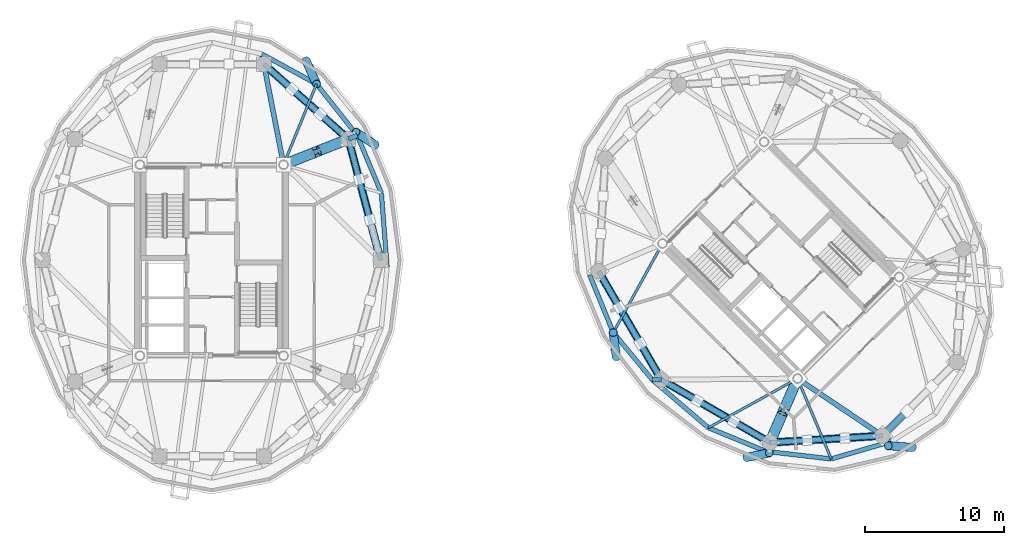
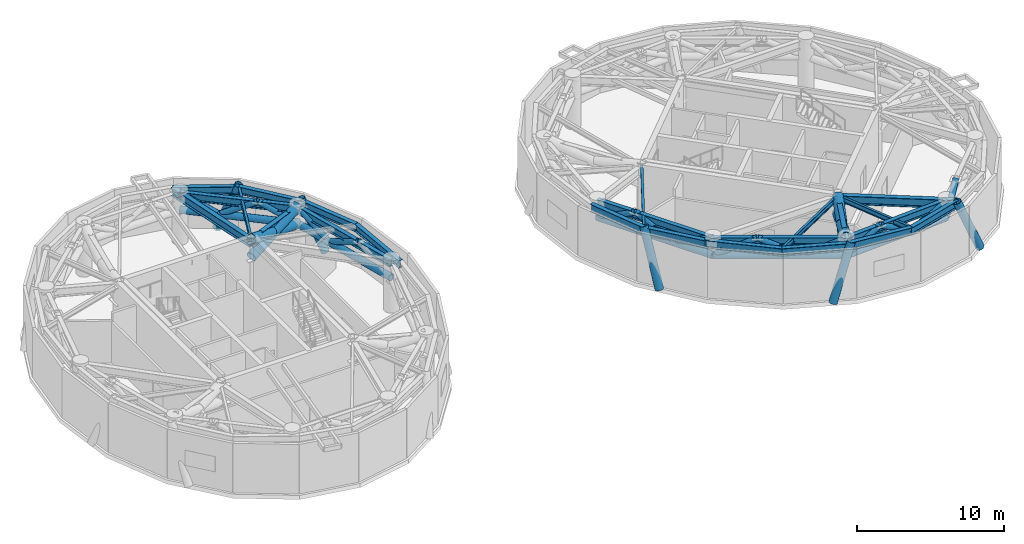
# One storey, part 3 of 14: 31 members, 25 beams.
"""IFC4 building model written with IfcOpenShell, lengths in metres."""

from ifc_helpers import new_model, si_unit, direction, frame, origin, origin_2d, place, context, subcontext, project, spatial, hollow_circle, i_section, extrude, material, material_profile, profile_set, type_object, element, save


model = new_model("IFC4")

# Units and contexts
model_context = context("Model", 3, precision=1e-05, world=origin(), true_north=direction((0.0, 1.0)))
body_context = subcontext(model_context, "Body", "Model", "MODEL_VIEW")
ifc_project = project(units=[si_unit("LENGTHUNIT", "METRE"), si_unit("AREAUNIT", "SQUARE_METRE"), si_unit("VOLUMEUNIT", "CUBIC_METRE"), si_unit("PLANEANGLEUNIT", "RADIAN"), si_unit("MASSUNIT", "GRAM", prefix="KILO")], contexts=[model_context])

# Site, building, storey
site_placement = place(None, origin())
site = spatial("IfcSite", under=ifc_project, at=site_placement, CompositionType="ELEMENT")
building_placement = place(site_placement, origin())
building = spatial("IfcBuilding", under=site, at=building_placement, Name="Cununo Teusaquillo Station Towers", CompositionType="ELEMENT")
storey_placement = place(building_placement, frame((0.0, 0.0, 192.340087890625)))
storey = spatial("IfcBuildingStorey", under=building, at=storey_placement, Name="L61", CompositionType="ELEMENT", Elevation=192.340087890625)

# Beams
ifc_material_1 = material(Name="Steel ASTM A572 Grade 50", Category="steel")
ifc_material_profile_1 = material_profile(ifc_material_1, i_section(OverallWidth=0.180908203125, OverallDepth=0.4169921875, WebThickness=0.010986328125, FlangeThickness=0.018310546875, FilletRadius=0.012939453125, at=origin_2d()), Name="W16X57")
ifc_profile_set_1 = profile_set([ifc_material_profile_1], Name="Steel ASTM A572 Grade 50")
beam_type_1 = type_object("IfcBeamType", Name="BM-JOIST-1", PredefinedType="JOIST", material=ifc_profile_set_1)
beam_1_placement = place(storey_placement, frame((21.675048828125, 31.3798828125, 3.9013671875), z_axis=(0.378576847217, 0.925569862707, 0.0), x_axis=(-0.925569862707, 0.378576847217, 0.0)))
element("IfcBeam", 1, at=beam_1_placement, inside=storey, type_object=beam_type_1, Name="L61 Tower A Radial Spandrel Joist V03", PredefinedType="JOIST", context=body_context, shape_type="SweptSolid", body=[
    extrude(i_section(OverallWidth=0.180908203125, OverallDepth=0.4169921875, WebThickness=0.010986328125, FlangeThickness=0.018310546875, FilletRadius=0.012939453125, at=origin_2d()), origin(), (0.0, 0.0, 1.0), 6.28125),
])
for number, where, z_axis, x_axis, name in (
    (2, (48.975830078125, 25.70556640625, 3.9013671875), (-0.483552544108, -0.8753153358, 0.0), (0.8753153358, -0.483552544108, 0.0), "L61 Tower B Radial Spandrel Joist V09"),
    (3, (58.70556640625, 15.975830078125, 3.9013671875), (-0.8753153358, -0.483552544108, 0.0), (0.483552544108, -0.8753153358, 0.0), "L61 Tower B Radial Spandrel Joist V11"),
):
    element("IfcBeam", number, at=place(storey_placement, frame(where, z_axis=z_axis, x_axis=x_axis)), inside=storey, type_object=beam_type_1, Name=name, PredefinedType="JOIST", context=body_context, shape_type="SweptSolid", body=[
        extrude(i_section(OverallWidth=0.180908203125, OverallDepth=0.4169921875, WebThickness=0.010986328125, FlangeThickness=0.018310546875, FilletRadius=0.012939453125, at=origin_2d()), origin(), (0.0, 0.0, 1.0), 7.3330078125),
    ])
beam_2_placement = place(storey_placement, frame((58.70556640625, 15.975830078125, 3.9013671875), z_axis=(0.386786389381, -0.922169338565, 0.0), x_axis=(0.922169338565, 0.386786389381, 0.0)))
element("IfcBeam", 4, at=beam_2_placement, inside=storey, type_object=beam_type_1, Name="L61 Tower B Radial Spandrel Joist V13", PredefinedType="JOIST", context=body_context, shape_type="SweptSolid", body=[
    extrude(i_section(OverallWidth=0.180908203125, OverallDepth=0.4169921875, WebThickness=0.010986328125, FlangeThickness=0.018310546875, FilletRadius=0.012939453125, at=origin_2d()), origin(), (0.0, 0.0, 1.0), 6.281005859375),
])
ifc_material_2 = material(Name="Steel ASTM A572 Grade 50", Category="steel")
ifc_material_profile_2 = material_profile(ifc_material_2, i_section(OverallWidth=0.35498046875, OverallDepth=0.696044921875, WebThickness=0.015380859375, FlangeThickness=0.02490234375, FilletRadius=0.01806640625, at=origin_2d()), Name="W27X146")
ifc_profile_set_2 = profile_set([ifc_material_profile_2], Name="Steel ASTM A572 Grade 50")
beam_type_2 = type_object("IfcBeamType", Name="BM-PLNT-G1", PredefinedType="BEAM", material=ifc_profile_set_2)
beam_3_placement = place(storey_placement, frame((21.675048828125, 31.3798828125, 3.761962890625), z_axis=(0.929864104313, 0.367903176814, 0.0), x_axis=(-0.367903176814, 0.929864104313, 0.0)))
element("IfcBeam", 5, at=beam_3_placement, inside=storey, type_object=beam_type_2, Name="L61 Tower A Radial Girder 02A", PredefinedType="BEAM", context=body_context, shape_type="SweptSolid", body=[
    extrude(i_section(OverallWidth=0.35498046875, OverallDepth=0.696044921875, WebThickness=0.015380859375, FlangeThickness=0.02490234375, FilletRadius=0.01806640625, at=origin_2d()), origin(), (0.0, 0.0, 1.0), 5.02490234375),
])
beam_4_placement = place(storey_placement, frame((26.347412109375, 33.228515625, 3.761962890625), z_axis=(0.929761307449, 0.368162886738, 0.0), x_axis=(-0.368162886738, 0.929761307449, 0.0)))
element("IfcBeam", 6, at=beam_4_placement, inside=storey, type_object=beam_type_2, Name="L61 Tower A Perimeter Overhang Girder 02B", PredefinedType="BEAM", context=body_context, shape_type="SweptSolid", body=[
    extrude(i_section(OverallWidth=0.35498046875, OverallDepth=0.696044921875, WebThickness=0.015380859375, FlangeThickness=0.02490234375, FilletRadius=0.01806640625, at=origin_2d()), origin(), (0.0, 0.0, 1.0), 0.691650390625),
])
beam_5_placement = place(storey_placement, frame((21.675048828125, 31.3798828125, 3.761962890625), z_axis=(-0.191548487699, 0.981483151593, 0.0), x_axis=(-0.981483151593, -0.191548487699, 0.0)))
element("IfcBeam", 7, at=beam_5_placement, inside=storey, type_object=beam_type_2, Name="L61 Tower A Continuous Overhanging Radial Girder 03", PredefinedType="BEAM", context=body_context, shape_type="SweptSolid", body=[
    extrude(i_section(OverallWidth=0.35498046875, OverallDepth=0.696044921875, WebThickness=0.015380859375, FlangeThickness=0.02490234375, FilletRadius=0.01806640625, at=origin_2d()), origin(), (0.0, 0.0, 1.0), 8.1240234375),
])
beam_6_placement = place(storey_placement, frame((48.89306640625, 15.89306640625, 3.761962890625), z_axis=(-0.999962704276, -0.008636553586, 0.0), x_axis=(0.008636553586, -0.999962704276, 0.0)))
element("IfcBeam", 8, at=beam_6_placement, inside=storey, type_object=beam_type_2, Name="L61 Tower B Perimeter Overhang Girder 06B", PredefinedType="BEAM", context=body_context, shape_type="SweptSolid", body=[
    extrude(i_section(OverallWidth=0.35498046875, OverallDepth=0.696044921875, WebThickness=0.015380859375, FlangeThickness=0.02490234375, FilletRadius=0.01806640625, at=origin_2d()), origin(), (0.0, 0.0, 1.0), 0.650146484375),
])
beam_7_placement = place(storey_placement, frame((58.70556640625, 15.975830078125, 3.761962890625), z_axis=(-0.397354530893, -0.917665176837, 0.0), x_axis=(0.917665176837, -0.397354530893, 0.0)))
element("IfcBeam", 9, at=beam_7_placement, inside=storey, type_object=beam_type_2, Name="L61 Tower B Continuous Overhanging Radial Girder 07", PredefinedType="BEAM", context=body_context, shape_type="SweptSolid", body=[
    extrude(i_section(OverallWidth=0.35498046875, OverallDepth=0.696044921875, WebThickness=0.015380859375, FlangeThickness=0.02490234375, FilletRadius=0.01806640625, at=origin_2d()), origin(), (0.0, 0.0, 1.0), 5.716552734375),
])
beam_8_placement = place(storey_placement, frame((58.70556640625, 15.975830078125, 3.761962890625), z_axis=(0.829456817529, -0.558570844079, 0.0), x_axis=(0.558570844079, 0.829456817529, 0.0)))
element("IfcBeam", 10, at=beam_8_placement, inside=storey, type_object=beam_type_2, Name="L61 Tower B Continuous Overhanging Radial Girder 08", PredefinedType="BEAM", context=body_context, shape_type="SweptSolid", body=[
    extrude(i_section(OverallWidth=0.35498046875, OverallDepth=0.696044921875, WebThickness=0.015380859375, FlangeThickness=0.02490234375, FilletRadius=0.01806640625, at=origin_2d()), origin(), (0.0, 0.0, 1.0), 8.1240234375),
])
ifc_material_3 = material(Name="Steel ASTM A572 Grade 50", Category="steel")
ifc_material_profile_3 = material_profile(ifc_material_3, i_section(OverallWidth=0.324951171875, OverallDepth=0.615966796875, WebThickness=0.013916015625, FlangeThickness=0.021484375, FilletRadius=0.01611328125, at=origin_2d()), Name="W24X117")
ifc_profile_set_3 = profile_set([ifc_material_profile_3], Name="Steel ASTM A572 Grade 50")
beam_type_3 = type_object("IfcBeamType", Name="BM-PLNT-G2", PredefinedType="BEAM", material=ifc_profile_set_3)
beam_9_placement = place(storey_placement, frame((28.672119140625, 24.5, 3.802001953125), z_axis=(-0.257363196347, 0.966314744359, 0.0), x_axis=(-0.966314744359, -0.257363196347, 0.0)))
element("IfcBeam", 11, at=beam_9_placement, inside=storey, type_object=beam_type_3, Name="L61 Tower A Structural Column Ring Girder 01", PredefinedType="BEAM", context=body_context, shape_type="SweptSolid", body=[
    extrude(i_section(OverallWidth=0.324951171875, OverallDepth=0.615966796875, WebThickness=0.013916015625, FlangeThickness=0.021484375, FilletRadius=0.01611328125, at=origin_2d()), origin(), (0.0, 0.0, 1.0), 9.03271484375),
])
beam_10_placement = place(storey_placement, frame((26.347412109375, 33.228515625, 3.802001953125), z_axis=(-0.74832120039, 0.66333655187, 0.0), x_axis=(-0.66333655187, -0.74832120039, 0.0)))
element("IfcBeam", 12, at=beam_10_placement, inside=storey, type_object=beam_type_3, Name="L61 Tower A Structural Column Ring Girder 02", PredefinedType="BEAM", context=body_context, shape_type="SweptSolid", body=[
    extrude(i_section(OverallWidth=0.324951171875, OverallDepth=0.615966796875, WebThickness=0.013916015625, FlangeThickness=0.021484375, FilletRadius=0.01611328125, at=origin_2d()), origin(), (0.0, 0.0, 1.0), 8.1328125),
])
beam_11_placement = place(storey_placement, frame((29.135498046875, 24.044189453125, 3.802001953125), z_axis=(-0.077871988965, 0.996963366095, 0.0), x_axis=(-0.996963366095, -0.077871988965, 0.0)))
element("IfcBeam", 13, at=beam_11_placement, inside=storey, type_object=beam_type_3, Name="L61 Tower A Spandrel Ring Beam 01", PredefinedType="BEAM", context=body_context, shape_type="SweptSolid", body=[
    extrude(i_section(OverallWidth=0.324951171875, OverallDepth=0.615966796875, WebThickness=0.013916015625, FlangeThickness=0.021484375, FilletRadius=0.01611328125, at=origin_2d()), origin(), (0.0, 0.0, 1.0), 5.3203125),
])
beam_12_placement = place(storey_placement, frame((28.72119140625, 29.348388671875, 3.802001953125), z_axis=(-0.386115454066, 0.922450462698, 0.0), x_axis=(-0.922450462698, -0.386115454066, 0.0)))
element("IfcBeam", 14, at=beam_12_placement, inside=storey, type_object=beam_type_3, Name="L61 Tower A Spandrel Ring Beam 02", PredefinedType="BEAM", context=body_context, shape_type="SweptSolid", body=[
    extrude(i_section(OverallWidth=0.324951171875, OverallDepth=0.615966796875, WebThickness=0.013916015625, FlangeThickness=0.021484375, FilletRadius=0.01611328125, at=origin_2d()), origin(), (0.0, 0.0, 1.0), 4.482421875),
])
beam_13_placement = place(storey_placement, frame((26.990478515625, 33.483154296875, 3.802001953125), z_axis=(-0.620710872531, 0.784039547932, 0.0), x_axis=(-0.784039547932, -0.620710872531, 0.0)))
element("IfcBeam", 15, at=beam_13_placement, inside=storey, type_object=beam_type_3, Name="L61 Tower A Spandrel Ring Beam 03", PredefinedType="BEAM", context=body_context, shape_type="SweptSolid", body=[
    extrude(i_section(OverallWidth=0.324951171875, OverallDepth=0.615966796875, WebThickness=0.013916015625, FlangeThickness=0.021484375, FilletRadius=0.01611328125, at=origin_2d()), origin(), (0.0, 0.0, 1.0), 4.732421875),
])
beam_14_placement = place(storey_placement, frame((24.052978515625, 37.193603515625, 3.802001953125), z_axis=(-0.876576300909, 0.481262910149, 0.0), x_axis=(-0.481262910149, -0.876576300909, 0.0)))
element("IfcBeam", 16, at=beam_14_placement, inside=storey, type_object=beam_type_3, Name="L61 Tower A Spandrel Ring Beam 04", PredefinedType="BEAM", context=body_context, shape_type="SweptSolid", body=[
    extrude(i_section(OverallWidth=0.324951171875, OverallDepth=0.615966796875, WebThickness=0.013916015625, FlangeThickness=0.021484375, FilletRadius=0.01611328125, at=origin_2d()), origin(), (0.0, 0.0, 1.0), 4.488037109375),
])
for number, where, z_axis, x_axis, name in (
    (17, (44.36474609375, 23.708984375, 3.802001953125), (0.501311121078, -0.865267103202, 0.0), (0.865267103202, 0.501311121078, 0.0), "L61 Tower B Structural Column Ring Girder 05"),
    (18, (48.89306640625, 15.89306640625, 3.802001953125), (0.865267103202, -0.501311121078, 0.0), (0.501311121078, 0.865267103202, 0.0), "L61 Tower B Structural Column Ring Girder 06"),
):
    element("IfcBeam", number, at=place(storey_placement, frame(where, z_axis=z_axis, x_axis=x_axis)), inside=storey, type_object=beam_type_3, Name=name, PredefinedType="BEAM", context=body_context, shape_type="SweptSolid", body=[
        extrude(i_section(OverallWidth=0.324951171875, OverallDepth=0.615966796875, WebThickness=0.013916015625, FlangeThickness=0.021484375, FilletRadius=0.01611328125, at=origin_2d()), origin(), (0.0, 0.0, 1.0), 9.032958984375),
    ])
beam_15_placement = place(storey_placement, frame((56.708984375, 11.36474609375, 3.802001953125), z_axis=(0.998190567048, 0.06012979176, 0.0), x_axis=(-0.06012979176, 0.998190567048, 0.0)))
element("IfcBeam", 19, at=beam_15_placement, inside=storey, type_object=beam_type_3, Name="L61 Tower B Structural Column Ring Girder 07", PredefinedType="BEAM", context=body_context, shape_type="SweptSolid", body=[
    extrude(i_section(OverallWidth=0.324951171875, OverallDepth=0.615966796875, WebThickness=0.013916015625, FlangeThickness=0.021484375, FilletRadius=0.01611328125, at=origin_2d()), origin(), (0.0, 0.0, 1.0), 8.132568359375),
])
beam_16_placement = place(storey_placement, frame((43.72998046875, 23.43408203125, 3.802001953125), z_axis=(0.379275405388, -0.925283830437, 0.0), x_axis=(0.925283830437, 0.379275405388, 0.0)))
element("IfcBeam", 20, at=beam_16_placement, inside=storey, type_object=beam_type_3, Name="L61 Tower B Spandrel Ring Beam 09", PredefinedType="BEAM", context=body_context, shape_type="SweptSolid", body=[
    extrude(i_section(OverallWidth=0.324951171875, OverallDepth=0.615966796875, WebThickness=0.013916015625, FlangeThickness=0.021484375, FilletRadius=0.01611328125, at=origin_2d()), origin(), (0.0, 0.0, 1.0), 4.482177734375),
])
beam_17_placement = place(storey_placement, frame((45.429931640625, 19.286865234375, 3.802001953125), z_axis=(0.637524682095, -0.770429931739, 0.0), x_axis=(0.770429931739, 0.637524682095, 0.0)))
element("IfcBeam", 21, at=beam_17_placement, inside=storey, type_object=beam_type_3, Name="L61 Tower B Spandrel Ring Beam 10", PredefinedType="BEAM", context=body_context, shape_type="SweptSolid", body=[
    extrude(i_section(OverallWidth=0.324951171875, OverallDepth=0.615966796875, WebThickness=0.013916015625, FlangeThickness=0.021484375, FilletRadius=0.01611328125, at=origin_2d()), origin(), (0.0, 0.0, 1.0), 4.412353515625),
])
beam_18_placement = place(storey_placement, frame((48.242919921875, 15.887451171875, 3.802001953125), z_axis=(0.760065778291, -0.649846145385, 0.0), x_axis=(0.649846145385, 0.760065778291, 0.0)))
element("IfcBeam", 22, at=beam_18_placement, inside=storey, type_object=beam_type_3, Name="L61 Tower B Spandrel Ring Beam 11", PredefinedType="BEAM", context=body_context, shape_type="SweptSolid", body=[
    extrude(i_section(OverallWidth=0.324951171875, OverallDepth=0.615966796875, WebThickness=0.013916015625, FlangeThickness=0.021484375, FilletRadius=0.01611328125, at=origin_2d()), origin(), (0.0, 0.0, 1.0), 5.320556640625),
])
beam_19_placement = place(storey_placement, frame((52.286865234375, 12.429931640625, 3.802001953125), z_axis=(0.925283830437, -0.379275405388, 0.0), x_axis=(0.379275405388, 0.925283830437, 0.0)))
element("IfcBeam", 23, at=beam_19_placement, inside=storey, type_object=beam_type_3, Name="L61 Tower B Spandrel Ring Beam 12", PredefinedType="BEAM", context=body_context, shape_type="SweptSolid", body=[
    extrude(i_section(OverallWidth=0.324951171875, OverallDepth=0.615966796875, WebThickness=0.013916015625, FlangeThickness=0.021484375, FilletRadius=0.01611328125, at=origin_2d()), origin(), (0.0, 0.0, 1.0), 4.482177734375),
])
beam_20_placement = place(storey_placement, frame((56.43408203125, 10.72998046875, 3.802001953125), z_axis=(0.993313022334, -0.115452326356, 0.0), x_axis=(0.115452326356, 0.993313022334, 0.0)))
element("IfcBeam", 24, at=beam_20_placement, inside=storey, type_object=beam_type_3, Name="L61 Tower B Spandrel Ring Beam 13", PredefinedType="BEAM", context=body_context, shape_type="SweptSolid", body=[
    extrude(i_section(OverallWidth=0.324951171875, OverallDepth=0.615966796875, WebThickness=0.013916015625, FlangeThickness=0.021484375, FilletRadius=0.01611328125, at=origin_2d()), origin(), (0.0, 0.0, 1.0), 4.732666015625),
])
beam_21_placement = place(storey_placement, frame((61.135009765625, 10.18359375, 3.802001953125), z_axis=(0.96014487762, 0.279502797802, 0.0), x_axis=(-0.279502797802, 0.96014487762, 0.0)))
element("IfcBeam", 25, at=beam_21_placement, inside=storey, type_object=beam_type_3, Name="L61 Tower B Spandrel Ring Beam 14", PredefinedType="BEAM", context=body_context, shape_type="SweptSolid", body=[
    extrude(i_section(OverallWidth=0.324951171875, OverallDepth=0.615966796875, WebThickness=0.013916015625, FlangeThickness=0.021484375, FilletRadius=0.01611328125, at=origin_2d()), origin(), (0.0, 0.0, 1.0), 4.488037109375),
])

# Members
ifc_material_4 = material(Name="Steel EN 10025-2 S355J2", Category="steel")
ifc_material_profile_4 = material_profile(ifc_material_4, hollow_circle(Radius=0.279541015625, WallThickness=0.02001953125, at=origin_2d()), Name="CHS 559x20")
ifc_profile_set_4 = profile_set([ifc_material_profile_4], Name="Steel EN 10025-2 S355J2")
member_type_1 = type_object("IfcMemberType", Name="MBR-BELT-CH", PredefinedType="CHORD", material=ifc_profile_set_4)
member_1_placement = place(storey_placement, frame((28.672119140625, 24.5, 2.579833984375), z_axis=(-0.257363196347, 0.966314744359, 0.0), x_axis=(-0.966314744359, -0.257363196347, 0.0)))
element("IfcMember", 26, at=member_1_placement, inside=storey, type_object=member_type_1, Name="L61 Tower A Belt Truss Lower Chord 01", PredefinedType="CHORD", context=body_context, shape_type="SweptSolid", body=[
    extrude(hollow_circle(Radius=0.279541015625, WallThickness=0.02001953125, at=origin_2d()), origin(), (0.0, 0.0, 1.0), 9.03271484375),
])
member_2_placement = place(storey_placement, frame((26.347412109375, 33.228515625, 2.579833984375), z_axis=(-0.74832120039, 0.66333655187, 0.0), x_axis=(-0.66333655187, -0.74832120039, 0.0)))
element("IfcMember", 27, at=member_2_placement, inside=storey, type_object=member_type_1, Name="L61 Tower A Belt Truss Lower Chord 02", PredefinedType="CHORD", context=body_context, shape_type="SweptSolid", body=[
    extrude(hollow_circle(Radius=0.279541015625, WallThickness=0.02001953125, at=origin_2d()), origin(), (0.0, 0.0, 1.0), 8.1328125),
])
for number, where, z_axis, x_axis, name in (
    (28, (44.36474609375, 23.708984375, 2.579833984375), (0.501311121078, -0.865267103202, 0.0), (0.865267103202, 0.501311121078, 0.0), "L61 Tower B Belt Truss Lower Chord 05"),
    (29, (48.89306640625, 15.89306640625, 2.579833984375), (0.865267103202, -0.501311121078, 0.0), (0.501311121078, 0.865267103202, 0.0), "L61 Tower B Belt Truss Lower Chord 06"),
):
    element("IfcMember", number, at=place(storey_placement, frame(where, z_axis=z_axis, x_axis=x_axis)), inside=storey, type_object=member_type_1, Name=name, PredefinedType="CHORD", context=body_context, shape_type="SweptSolid", body=[
        extrude(hollow_circle(Radius=0.279541015625, WallThickness=0.02001953125, at=origin_2d()), origin(), (0.0, 0.0, 1.0), 9.032958984375),
    ])
member_3_placement = place(storey_placement, frame((56.708984375, 11.36474609375, 2.579833984375), z_axis=(0.998190567048, 0.06012979176, 0.0), x_axis=(-0.06012979176, 0.998190567048, 0.0)))
element("IfcMember", 30, at=member_3_placement, inside=storey, type_object=member_type_1, Name="L61 Tower B Belt Truss Lower Chord 07", PredefinedType="CHORD", context=body_context, shape_type="SweptSolid", body=[
    extrude(hollow_circle(Radius=0.279541015625, WallThickness=0.02001953125, at=origin_2d()), origin(), (0.0, 0.0, 1.0), 8.132568359375),
])
ifc_material_5 = material(Name="Steel EN 10025-2 S355J2", Category="steel")
ifc_material_profile_5 = material_profile(ifc_material_5, hollow_circle(Radius=0.228515625, WallThickness=0.01611328125, at=origin_2d()), Name="CHS 457x16")
ifc_profile_set_5 = profile_set([ifc_material_profile_5], Name="Steel EN 10025-2 S355J2")
member_type_2 = type_object("IfcMemberType", Name="MBR-BELT-WB", PredefinedType="BRACE", material=ifc_profile_set_5)
member_4_placement = place(storey_placement, frame((27.897216796875, 27.409423828125, 4.030029296875), z_axis=(-0.231860126718, 0.870607747394, -0.433915927129), x_axis=(-0.966318324558, -0.257349753494, 0.0)))
element("IfcMember", 31, at=member_4_placement, inside=storey, type_object=member_type_2, Name="L61 Tower A Belt Truss Warren Brace 01B", PredefinedType="BRACE", context=body_context, shape_type="SweptSolid", body=[
    extrude(hollow_circle(Radius=0.228515625, WallThickness=0.01611328125, at=origin_2d()), origin(), (0.0, 0.0, 1.0), 3.342041015625),
])
member_5_placement = place(storey_placement, frame((27.122314453125, 30.319091796875, 2.579833984375), z_axis=(-0.231874873286, 0.870590064572, 0.433943524675), x_axis=(-0.96631295405, -0.257369918281, 0.0)))
element("IfcMember", 32, at=member_5_placement, inside=storey, type_object=member_type_2, Name="L61 Tower A Belt Truss Warren Brace 01C", PredefinedType="BRACE", context=body_context, shape_type="SweptSolid", body=[
    extrude(hollow_circle(Radius=0.228515625, WallThickness=0.01611328125, at=origin_2d()), origin(), (0.0, 0.0, 1.0), 3.341796875),
])
member_6_placement = place(storey_placement, frame((26.347412109375, 33.228515625, 2.579833984375), z_axis=(-0.659861274624, 0.584902304317, 0.471669791969), x_axis=(-0.663323560468, -0.748332716195, 0.0)))
element("IfcMember", 33, at=member_6_placement, inside=storey, type_object=member_type_2, Name="L61 Tower A Belt Truss Warren Brace 02A", PredefinedType="BRACE", context=body_context, shape_type="SweptSolid", body=[
    extrude(hollow_circle(Radius=0.228515625, WallThickness=0.01611328125, at=origin_2d()), origin(), (0.0, 0.0, 1.0), 3.07470703125),
])
member_7_placement = place(storey_placement, frame((24.318603515625, 35.02685546875, 4.030029296875), z_axis=(-0.659847088148, 0.584880708173, -0.471716416367), x_axis=(-0.663317831046, -0.748337794727, 0.0)))
element("IfcMember", 34, at=member_7_placement, inside=storey, type_object=member_type_2, Name="L61 Tower A Belt Truss Warren Brace 02B", PredefinedType="BRACE", context=body_context, shape_type="SweptSolid", body=[
    extrude(hollow_circle(Radius=0.228515625, WallThickness=0.01611328125, at=origin_2d()), origin(), (0.0, 0.0, 1.0), 3.07421875),
])
member_8_placement = place(storey_placement, frame((22.2900390625, 36.824951171875, 2.579833984375), z_axis=(-0.65981643999, 0.584932951855, 0.471694506384), x_axis=(-0.66336826295, -0.748293089445, 0.0)))
element("IfcMember", 35, at=member_8_placement, inside=storey, type_object=member_type_2, Name="L61 Tower A Belt Truss Warren Brace 02C", PredefinedType="BRACE", context=body_context, shape_type="SweptSolid", body=[
    extrude(hollow_circle(Radius=0.228515625, WallThickness=0.01611328125, at=origin_2d()), origin(), (0.0, 0.0, 1.0), 3.074462890625),
])
member_9_placement = place(storey_placement, frame((44.36474609375, 23.708984375, 2.579833984375), z_axis=(0.4516573047, -0.779570880763, 0.433906580934), x_axis=(0.865268964153, 0.501307909048, 0.0)))
element("IfcMember", 36, at=member_9_placement, inside=storey, type_object=member_type_2, Name="L61 Tower B Belt Truss Warren Brace 05A", PredefinedType="BRACE", context=body_context, shape_type="SweptSolid", body=[
    extrude(hollow_circle(Radius=0.228515625, WallThickness=0.01611328125, at=origin_2d()), origin(), (0.0, 0.0, 1.0), 3.34228515625),
])
member_10_placement = place(storey_placement, frame((45.874267578125, 21.103515625, 4.030029296875), z_axis=(0.451624874587, -0.779567945118, -0.433945609034), x_axis=(0.865283758706, 0.501282372441, 0.0)))
element("IfcMember", 37, at=member_10_placement, inside=storey, type_object=member_type_2, Name="L61 Tower B Belt Truss Warren Brace 05B", PredefinedType="BRACE", context=body_context, shape_type="SweptSolid", body=[
    extrude(hollow_circle(Radius=0.228515625, WallThickness=0.01611328125, at=origin_2d()), origin(), (0.0, 0.0, 1.0), 3.341796875),
])
for number, where, z_axis, x_axis, name in (
    (38, (47.383544921875, 18.498291015625, 2.579833984375), (0.451683025898, -0.779542223735, 0.433931291255), (0.86524858622, 0.50134308018, 0.0), "L61 Tower B Belt Truss Warren Brace 05C"),
    (39, (48.89306640625, 15.89306640625, 2.579833984375), (0.779542223735, -0.451683025898, 0.433931291255), (0.50134308018, 0.86524858622, 0.0), "L61 Tower B Belt Truss Warren Brace 06A"),
):
    element("IfcMember", number, at=place(storey_placement, frame(where, z_axis=z_axis, x_axis=x_axis)), inside=storey, type_object=member_type_2, Name=name, PredefinedType="BRACE", context=body_context, shape_type="SweptSolid", body=[
        extrude(hollow_circle(Radius=0.228515625, WallThickness=0.01611328125, at=origin_2d()), origin(), (0.0, 0.0, 1.0), 3.342041015625),
    ])
member_11_placement = place(storey_placement, frame((51.498291015625, 14.383544921875, 4.030029296875), z_axis=(0.779567945118, -0.451624874587, -0.433945609034), x_axis=(0.501282372441, 0.865283758706, 0.0)))
element("IfcMember", 40, at=member_11_placement, inside=storey, type_object=member_type_2, Name="L61 Tower B Belt Truss Warren Brace 06B", PredefinedType="BRACE", context=body_context, shape_type="SweptSolid", body=[
    extrude(hollow_circle(Radius=0.228515625, WallThickness=0.01611328125, at=origin_2d()), origin(), (0.0, 0.0, 1.0), 3.341796875),
])
member_12_placement = place(storey_placement, frame((54.103515625, 12.874267578125, 2.579833984375), z_axis=(0.779570880763, -0.4516573047, 0.433906580934), x_axis=(0.501307909048, 0.865268964153, 0.0)))
element("IfcMember", 41, at=member_12_placement, inside=storey, type_object=member_type_2, Name="L61 Tower B Belt Truss Warren Brace 06C", PredefinedType="BRACE", context=body_context, shape_type="SweptSolid", body=[
    extrude(hollow_circle(Radius=0.228515625, WallThickness=0.01611328125, at=origin_2d()), origin(), (0.0, 0.0, 1.0), 3.34228515625),
])
member_13_placement = place(storey_placement, frame((56.708984375, 11.36474609375, 2.579833984375), z_axis=(0.880150214708, 0.053048844485, 0.471721760838), x_axis=(-0.060163308645, 0.998188547466, 0.0)))
element("IfcMember", 42, at=member_13_placement, inside=storey, type_object=member_type_2, Name="L61 Tower B Belt Truss Warren Brace 07A", PredefinedType="BRACE", context=body_context, shape_type="SweptSolid", body=[
    extrude(hollow_circle(Radius=0.228515625, WallThickness=0.01611328125, at=origin_2d()), origin(), (0.0, 0.0, 1.0), 3.07421875),
])
for number, where, z_axis, x_axis, name in (
    (43, (59.414794921875, 11.52783203125, 4.030029296875), (0.880171812473, 0.052965950823, -0.471690776443), (-0.060068168794, 0.998194277232, 0.0), "L61 Tower B Belt Truss Warren Brace 07B"),
    (44, (62.120849609375, 11.690673828125, 2.579833984375), (0.880168107732, 0.053045136771, 0.471688791044), (-0.060157900347, 0.998188873423, 0.0), "L61 Tower B Belt Truss Warren Brace 07C"),
):
    element("IfcMember", number, at=place(storey_placement, frame(where, z_axis=z_axis, x_axis=x_axis)), inside=storey, type_object=member_type_2, Name=name, PredefinedType="BRACE", context=body_context, shape_type="SweptSolid", body=[
        extrude(hollow_circle(Radius=0.228515625, WallThickness=0.01611328125, at=origin_2d()), origin(), (0.0, 0.0, 1.0), 3.074462890625),
    ])
member_14_placement = place(storey_placement, frame((64.826904296875, 11.853759765625, 2.579833984375), z_axis=(0.61215134665, 0.61206706311, 0.500644224026), x_axis=(-0.707058097461, 0.707155461561, 0.0)))
element("IfcMember", 45, at=member_14_placement, inside=storey, type_object=member_type_2, Name="L61 Tower B Belt Truss Warren Brace 08A", PredefinedType="BRACE", context=body_context, shape_type="SweptSolid", body=[
    extrude(hollow_circle(Radius=0.228515625, WallThickness=0.01611328125, at=origin_2d()), origin(), (0.0, 0.0, 1.0), 2.896728515625),
])
ifc_material_6 = material(Name="Steel EN 10025-2 S355J2", Category="steel")
ifc_material_profile_6 = material_profile(ifc_material_6, hollow_circle(Radius=0.304931640625, WallThickness=0.02001953125, at=origin_2d()), Name="CHS 610x20")
ifc_profile_set_6 = profile_set([ifc_material_profile_6], Name="Steel EN 10025-2 S355J2")
member_type_3 = type_object("IfcMemberType", Name="MBR-DIAG-Z3", PredefinedType="BRACE", material=ifc_profile_set_6)
member_15_placement = place(storey_placement, frame((28.27587890625, 32.80859375, -0.14013671875), z_axis=(-0.298272829575, 0.197529228786, 0.933817713964), x_axis=(-0.552144459941, -0.833748460482, 0.0)))
element("IfcMember", 46, at=member_15_placement, inside=storey, type_object=member_type_3, Name="L61 Tower A Folded-Zigzag Diagrid Tube C01", PredefinedType="BRACE", context=body_context, shape_type="SweptSolid", body=[
    extrude(hollow_circle(Radius=0.304931640625, WallThickness=0.02001953125, at=origin_2d()), origin(), (0.0, 0.0, 1.0), 4.626220703125),
])
member_16_placement = place(storey_placement, frame((23.3046875, 38.87841796875, -0.14013671875), z_axis=(0.159313551279, -0.358702387398, 0.919756375164), x_axis=(0.913915280185, 0.405904989678, 0.0)))
element("IfcMember", 47, at=member_16_placement, inside=storey, type_object=member_type_3, Name="L61 Tower A Folded-Zigzag Diagrid Tube C03", PredefinedType="BRACE", context=body_context, shape_type="SweptSolid", body=[
    extrude(hollow_circle(Radius=0.304931640625, WallThickness=0.02001953125, at=origin_2d()), origin(), (0.0, 0.0, 1.0), 4.697021484375),
])
member_17_placement = place(storey_placement, frame((45.64794921875, 17.539794921875, -0.14013671875), z_axis=(-0.046734150763, 0.37450121261, 0.926047925815), x_axis=(-0.992303455702, -0.123829930959, 0.0)))
element("IfcMember", 48, at=member_17_placement, inside=storey, type_object=member_type_3, Name="L61 Tower B Folded-Zigzag Diagrid Tube C09", PredefinedType="BRACE", context=body_context, shape_type="SweptSolid", body=[
    extrude(hollow_circle(Radius=0.304931640625, WallThickness=0.02001953125, at=origin_2d()), origin(), (0.0, 0.0, 1.0), 4.6650390625),
])
member_18_placement = place(storey_placement, frame((55.04833984375, 10.298095703125, -0.14013671875), z_axis=(0.350572407493, 0.071243828107, 0.933821880265), x_axis=(-0.199150683089, 0.979968879825, 0.0)))
element("IfcMember", 49, at=member_18_placement, inside=storey, type_object=member_type_3, Name="L61 Tower B Folded-Zigzag Diagrid Tube C11", PredefinedType="BRACE", context=body_context, shape_type="SweptSolid", body=[
    extrude(hollow_circle(Radius=0.304931640625, WallThickness=0.02001953125, at=origin_2d()), origin(), (0.0, 0.0, 1.0), 4.626220703125),
])
member_19_placement = place(storey_placement, frame((66.981689453125, 11.011962890625, -0.14013671875), z_axis=(-0.373100645401, 0.027619615132, 0.927379676972), x_axis=(-0.073825244968, -0.99727119341, 0.0)))
element("IfcMember", 50, at=member_19_placement, inside=storey, type_object=member_type_3, Name="L61 Tower B Folded-Zigzag Diagrid Tube C14", PredefinedType="BRACE", context=body_context, shape_type="SweptSolid", body=[
    extrude(hollow_circle(Radius=0.304931640625, WallThickness=0.02001953125, at=origin_2d()), origin(), (0.0, 0.0, 1.0), 4.658447265625),
])
ifc_material_7 = material(Name="Steel EN 10025-2 S355J2", Category="steel")
ifc_material_profile_7 = material_profile(ifc_material_7, hollow_circle(Radius=0.3798828125, WallThickness=0.031982421875, at=origin_2d()), Name="CHS 760x32")
ifc_profile_set_7 = profile_set([ifc_material_profile_7], Name="Steel EN 10025-2 S355J2")
member_type_4 = type_object("IfcMemberType", Name="MBR-OUTR-1", PredefinedType="STRUT", material=ifc_profile_set_7)
member_20_placement = place(storey_placement, frame((21.675048828125, 31.3798828125, 2.579833984375), z_axis=(0.893400354352, 0.353476198305, 0.277291153979), x_axis=(-0.367903176814, 0.929864104313, 0.0)))
element("IfcMember", 51, at=member_20_placement, inside=storey, type_object=member_type_4, Name="L61 Tower A Outrigger Continuous Diagonal 2A", PredefinedType="STRUT", context=body_context, shape_type="SweptSolid", body=[
    extrude(hollow_circle(Radius=0.3798828125, WallThickness=0.031982421875, at=origin_2d()), origin(), (0.0, 0.0, 1.0), 5.22998046875),
])
for number, where, z_axis, x_axis, name in (
    (52, (21.675048828125, 31.3798828125, 4.030029296875), (0.893374901086, 0.353505498197, -0.277335805216), (-0.36793860805, 0.929850085071, 0.0), "L61 Tower A Outrigger Split Upper Strut 2B1"),
    (53, (24.2255859375, 32.38916015625, 3.238525390625), (0.893407361528, 0.353415545844, -0.277345882108), (-0.367846096768, 0.929886686157, 0.0), "L61 Tower A Outrigger Split Lower Strut 2B2"),
):
    element("IfcMember", number, at=place(storey_placement, frame(where, z_axis=z_axis, x_axis=x_axis)), inside=storey, type_object=member_type_4, Name=name, PredefinedType="STRUT", context=body_context, shape_type="SweptSolid", body=[
        extrude(hollow_circle(Radius=0.3798828125, WallThickness=0.031982421875, at=origin_2d()), origin(), (0.0, 0.0, 1.0), 2.375),
    ])
member_21_placement = place(storey_placement, frame((58.70556640625, 15.975830078125, 2.579833984375), z_axis=(-0.381765404258, -0.881682953072, 0.277291085998), x_axis=(0.917668443616, -0.397346986387, 0.0)))
element("IfcMember", 54, at=member_21_placement, inside=storey, type_object=member_type_4, Name="L61 Tower B Outrigger Continuous Diagonal 3A", PredefinedType="STRUT", context=body_context, shape_type="SweptSolid", body=[
    extrude(hollow_circle(Radius=0.3798828125, WallThickness=0.031982421875, at=origin_2d()), origin(), (0.0, 0.0, 1.0), 5.22998046875),
])
for number, where, z_axis, x_axis, name in (
    (55, (58.70556640625, 15.975830078125, 4.030029296875), (-0.38177658201, -0.881663366694, -0.277337969376), (0.917660982621, -0.397364217029, 0.0), "L61 Tower B Outrigger Split Upper Strut 3B1"),
    (56, (57.61572265625, 13.458740234375, 3.238525390625), (-0.38177658201, -0.881663366694, -0.277337969376), (0.917660982621, -0.397364217029, 0.0), "L61 Tower B Outrigger Split Lower Strut 3B2"),
):
    element("IfcMember", number, at=place(storey_placement, frame(where, z_axis=z_axis, x_axis=x_axis)), inside=storey, type_object=member_type_4, Name=name, PredefinedType="STRUT", context=body_context, shape_type="SweptSolid", body=[
        extrude(hollow_circle(Radius=0.3798828125, WallThickness=0.031982421875, at=origin_2d()), origin(), (0.0, 0.0, 1.0), 2.375),
    ])

save(model, "model.ifc")
